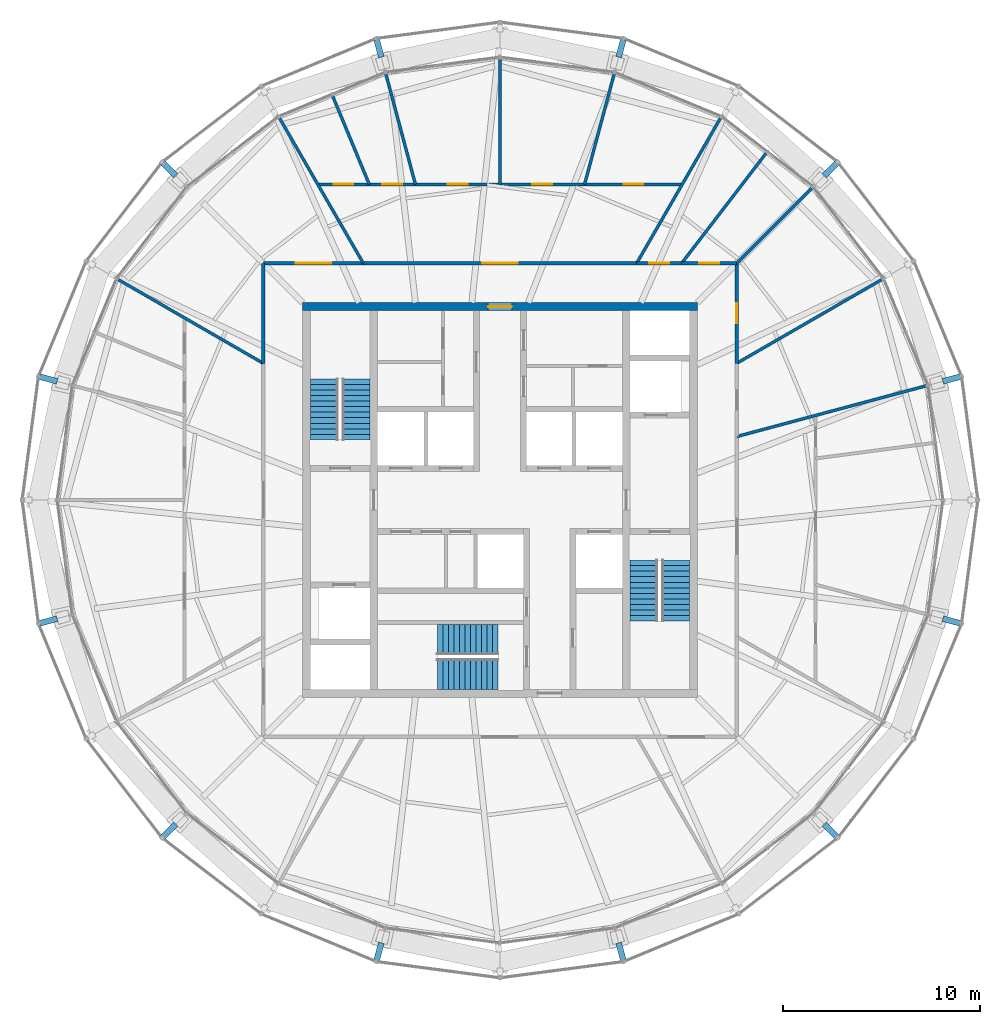
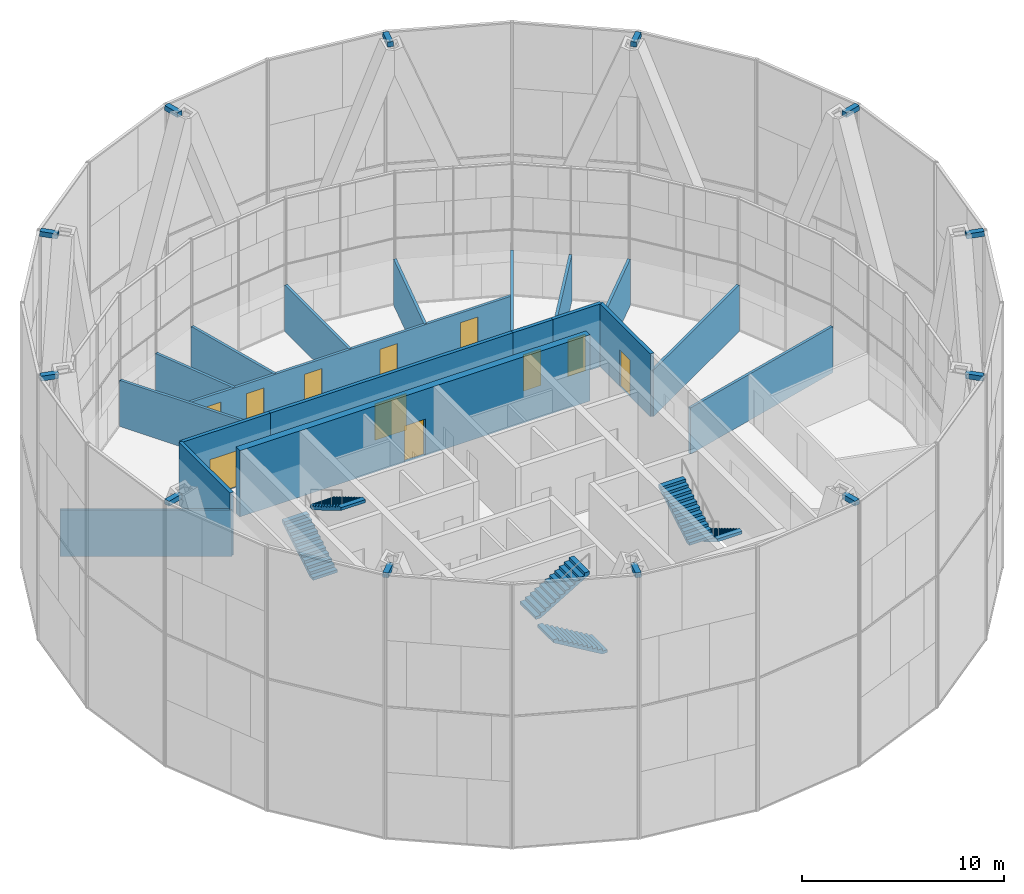
# One storey, part 20 of 22: 19 walls, 12 discrete accessories, 11 doors, 6 stair flights, 11 openings, 3 elements without a shape of their own.
"""IFC4 building model written with IfcOpenShell, lengths in metres."""

from ifc_helpers import new_model, si_unit, direction, frame, frame_2d, origin, origin_2d, place, context, subcontext, project, spatial, polyline, rectangle, outline, extrude, material, layer, layer_set, type_object, element, fill, aggregate, save


model = new_model("IFC4")

# Units and contexts
model_context = context("Model", 3, precision=1e-05, world=origin(), true_north=direction((0.0, 1.0)))
body_context = subcontext(model_context, "Body", "Model", "MODEL_VIEW")
ifc_project = project(units=[si_unit("LENGTHUNIT", "METRE"), si_unit("AREAUNIT", "SQUARE_METRE"), si_unit("VOLUMEUNIT", "CUBIC_METRE"), si_unit("PLANEANGLEUNIT", "RADIAN"), si_unit("MASSUNIT", "GRAM", prefix="KILO")], contexts=[model_context])

# Site, building, storey
site_placement = place(None, origin())
site = spatial("IfcSite", under=ifc_project, at=site_placement, CompositionType="ELEMENT")
building_placement = place(site_placement, origin())
building = spatial("IfcBuilding", under=site, at=building_placement, Name="Golbaran Civic Tower", CompositionType="ELEMENT")
storey_placement = place(building_placement, frame((0.0, 0.0, 248.0)))
storey = spatial("IfcBuildingStorey", under=building, at=storey_placement, Name="L60", CompositionType="ELEMENT", Elevation=248.0)

# Wall, opening, door
ifc_material_1 = material(Name="Concrete C50/60", Category="concrete")
ifc_layer_1 = layer(ifc_material_1, 0.39990234375, Name="Concrete C50/60")
ifc_layer_set_1 = layer_set([ifc_layer_1], Name="Concrete C50/60")
wall_type_1 = type_object("IfcWallType", Name="CORE WALL CONCRETE 400", PredefinedType="SOLIDWALL", material=ifc_layer_set_1)
wall_1_placement = place(storey_placement, frame((-10.0, 9.800048828125, 0.0), z_axis=(0.0, 0.0, 1.0), x_axis=(1.0, 0.0, 0.0)))
wall_1 = element("IfcWall", 1, at=wall_1_placement, inside=storey, type_object=wall_type_1, Name="Core wall CN L60", PredefinedType="SOLIDWALL", context=body_context, shape_type="SweptSolid", body=[
    extrude(rectangle(XDim=20.0, YDim=0.39990234375, at=frame_2d((10.0, 0.0))), origin(), (0.0, 0.0, 1.0), 4.0),
])
opening_1_placement = place(wall_1_placement, frame((9.39990234375, 0.0, 0.0)))
opening_1 = element("IfcOpeningElement", 2, at=opening_1_placement, cuts=wall_1, Name="Opening L60.CN", PredefinedType="OPENING", context=body_context, shape_type="SweptSolid", body=[
    extrude(rectangle(XDim=1.199951171875, YDim=2.199951171875, at=frame_2d((0.60009765625, 1.10009765625))), frame((0.0, 0.2099609375, 0.0), z_axis=(0.0, -1.0, 0.0), x_axis=(1.0, 0.0, 0.0)), (0.0, 0.0, 1.0), 0.419921875),
])
ifc_material_2 = material(Name="Timber door set in steel frame", Category="steel")
door_type_1 = type_object("IfcDoorType", Name="CORE DOOR 1200x2200", OperationType="DOUBLE_DOOR_SINGLE_SWING", PredefinedType="DOOR", material=ifc_material_2)
door_1_placement = place(opening_1_placement, origin())
door_1 = element("IfcDoor", 3, at=door_1_placement, inside=storey, type_object=door_type_1, Name="Core door north", OperationType="DOUBLE_DOOR_SINGLE_SWING", OverallHeight=2.199951171875, OverallWidth=1.199951171875, PredefinedType="DOOR", context=body_context, shape_type="SweptSolid", body=[
    extrude(rectangle(XDim=1.199951171875, YDim=2.199951171875, at=frame_2d((0.60009765625, 1.10009765625))), frame((0.0, 0.02490234375, 0.0), z_axis=(0.0, -1.0, 0.0), x_axis=(1.0, 0.0, 0.0)), (0.0, 0.0, 1.0), 0.050048828125),
])
fill(opening_1, door_1)

ifc_material_3 = material(Name="Gypsum board on steel studs, fire-rated", Category="steel")
ifc_layer_2 = layer(ifc_material_3, 0.199951171875, Name="Gypsum board on steel studs, fire-rated")
ifc_layer_set_2 = layer_set([ifc_layer_2], Name="Gypsum board on steel studs, fire-rated")
wall_type_2 = type_object("IfcWallType", Name="CORRIDOR WALL 200", PredefinedType="PARTITIONING", material=ifc_layer_set_2)
wall_2_placement = place(storey_placement, frame((12.0, 6.92822265625, 0.0), z_axis=(0.0, 0.0, 1.0), x_axis=(0.0, 1.0, 0.0)))
wall_2 = element("IfcWall", 4, at=wall_2_placement, inside=storey, type_object=wall_type_2, Name="Corridor wall L60", PredefinedType="PARTITIONING", context=body_context, shape_type="SweptSolid", body=[
    extrude(rectangle(XDim=5.07177734375, YDim=0.199951171875, at=frame_2d((2.535888671875, 0.0))), origin(), (0.0, 0.0, 1.0), 3.800048828125),
])
opening_2_placement = place(wall_2_placement, frame((2.035888671875, 0.0, 0.0)))
opening_2 = element("IfcOpeningElement", 5, at=opening_2_placement, cuts=wall_2, Name="Opening L60.16", PredefinedType="OPENING", context=body_context, shape_type="SweptSolid", body=[
    extrude(rectangle(XDim=1.0, YDim=2.199951171875, at=frame_2d((0.5, 1.10009765625))), frame((0.0, 0.10986328125, 0.0), z_axis=(0.0, -1.0, 0.0), x_axis=(1.0, 0.0, 0.0)), (0.0, 0.0, 1.0), 0.219970703125),
])
door_type_2 = type_object("IfcDoorType", Name="OFFICE DOOR 1000x2200", OperationType="SINGLE_SWING_LEFT", PredefinedType="DOOR", material=ifc_material_2)
door_2_placement = place(opening_2_placement, origin())
door_2 = element("IfcDoor", 6, at=door_2_placement, inside=storey, type_object=door_type_2, Name="Pantry door L60", OperationType="SINGLE_SWING_LEFT", OverallHeight=2.199951171875, OverallWidth=1.0, PredefinedType="DOOR", context=body_context, shape_type="SweptSolid", body=[
    extrude(rectangle(XDim=1.0, YDim=2.199951171875, at=frame_2d((0.5, 1.10009765625))), frame((0.0, 0.02490234375, 0.0), z_axis=(0.0, -1.0, 0.0), x_axis=(1.0, 0.0, 0.0)), (0.0, 0.0, 1.0), 0.050048828125),
])
fill(opening_2, door_2)

wall_3_placement = place(storey_placement, frame((12.0, 12.0, 0.0), z_axis=(0.0, 0.0, 1.0), x_axis=(-1.0, 0.0, 0.0)))
wall_3 = element("IfcWall", 7, at=wall_3_placement, inside=storey, type_object=wall_type_2, Name="Corridor wall L60", PredefinedType="PARTITIONING", context=body_context, shape_type="SweptSolid", body=[
    extrude(rectangle(XDim=2.7919921875, YDim=0.199951171875, at=frame_2d((1.39599609375, 0.0))), origin(), (0.0, 0.0, 1.0), 3.800048828125),
])
opening_3_placement = place(wall_3_placement, frame((0.89599609375, 0.0, 0.0)))
opening_3 = element("IfcOpeningElement", 8, at=opening_3_placement, cuts=wall_3, Name="Opening L60.17", PredefinedType="OPENING", context=body_context, shape_type="SweptSolid", body=[
    extrude(rectangle(XDim=1.0, YDim=2.199951171875, at=frame_2d((0.5, 1.10009765625))), frame((0.0, 0.10986328125, 0.0), z_axis=(0.0, -1.0, 0.0), x_axis=(1.0, 0.0, 0.0)), (0.0, 0.0, 1.0), 0.219970703125),
])
door_3_placement = place(opening_3_placement, origin())
door_3 = element("IfcDoor", 9, at=door_3_placement, inside=storey, type_object=door_type_2, Name="Prayer Room door L60", OperationType="SINGLE_SWING_RIGHT", OverallHeight=2.199951171875, OverallWidth=1.0, PredefinedType="DOOR", context=body_context, shape_type="SweptSolid", body=[
    extrude(rectangle(XDim=1.0, YDim=2.199951171875, at=frame_2d((0.5, 1.10009765625))), frame((0.0, 0.02490234375, 0.0), z_axis=(0.0, -1.0, 0.0), x_axis=(1.0, 0.0, 0.0)), (0.0, 0.0, 1.0), 0.050048828125),
])
fill(opening_3, door_3)

wall_4_placement = place(storey_placement, frame((9.2080078125, 12.0, 0.0), z_axis=(0.0, 0.0, 1.0), x_axis=(-1.0, 0.0, 0.0)))
wall_4 = element("IfcWall", 10, at=wall_4_placement, inside=storey, type_object=wall_type_2, Name="Corridor wall L60", PredefinedType="PARTITIONING", context=body_context, shape_type="SweptSolid", body=[
    extrude(rectangle(XDim=2.27978515625, YDim=0.199951171875, at=frame_2d((1.139892578125, 0.0))), origin(), (0.0, 0.0, 1.0), 3.800048828125),
])
opening_4_placement = place(wall_4_placement, frame((0.639892578125, 0.0, 0.0)))
opening_4 = element("IfcOpeningElement", 11, at=opening_4_placement, cuts=wall_4, Name="Opening L60.18", PredefinedType="OPENING", context=body_context, shape_type="SweptSolid", body=[
    extrude(rectangle(XDim=1.0, YDim=2.199951171875, at=frame_2d((0.5, 1.10009765625))), frame((0.0, 0.10986328125, 0.0), z_axis=(0.0, -1.0, 0.0), x_axis=(1.0, 0.0, 0.0)), (0.0, 0.0, 1.0), 0.219970703125),
])
door_4_placement = place(opening_4_placement, origin())
door_4 = element("IfcDoor", 12, at=door_4_placement, inside=storey, type_object=door_type_2, Name="Quiet Room door L60", OperationType="SINGLE_SWING_RIGHT", OverallHeight=2.199951171875, OverallWidth=1.0, PredefinedType="DOOR", context=body_context, shape_type="SweptSolid", body=[
    extrude(rectangle(XDim=1.0, YDim=2.199951171875, at=frame_2d((0.5, 1.10009765625))), frame((0.0, 0.02490234375, 0.0), z_axis=(0.0, -1.0, 0.0), x_axis=(1.0, 0.0, 0.0)), (0.0, 0.0, 1.0), 0.050048828125),
])
fill(opening_4, door_4)

wall_5_placement = place(storey_placement, frame((6.92822265625, 12.0, 0.0), z_axis=(0.0, 0.0, 1.0), x_axis=(-1.0, 0.0, 0.0)))
wall_5 = element("IfcWall", 13, at=wall_5_placement, inside=storey, type_object=wall_type_2, Name="Corridor wall L60", PredefinedType="PARTITIONING", context=body_context, shape_type="SweptSolid", body=[
    extrude(rectangle(XDim=13.8564453125, YDim=0.199951171875, at=frame_2d((6.92822265625, 0.0))), origin(), (0.0, 0.0, 1.0), 3.800048828125),
])
opening_5_placement = place(wall_5_placement, frame((6.0283203125, 0.0, 0.0)))
opening_5 = element("IfcOpeningElement", 14, at=opening_5_placement, cuts=wall_5, Name="Opening L60.19", PredefinedType="OPENING", context=body_context, shape_type="SweptSolid", body=[
    extrude(rectangle(XDim=1.800048828125, YDim=2.199951171875, at=frame_2d((0.89990234375, 1.10009765625))), frame((0.0, 0.10986328125, 0.0), z_axis=(0.0, -1.0, 0.0), x_axis=(1.0, 0.0, 0.0)), (0.0, 0.0, 1.0), 0.219970703125),
])
door_type_3 = type_object("IfcDoorType", Name="OFFICE DOUBLE DOOR 1800x2200", OperationType="DOUBLE_DOOR_SINGLE_SWING", PredefinedType="DOOR", material=ifc_material_2)
door_5_placement = place(opening_5_placement, origin())
door_5 = element("IfcDoor", 15, at=door_5_placement, inside=storey, type_object=door_type_3, Name="Reception door L60", OperationType="DOUBLE_DOOR_SINGLE_SWING", OverallHeight=2.199951171875, OverallWidth=1.800048828125, PredefinedType="DOOR", context=body_context, shape_type="SweptSolid", body=[
    extrude(rectangle(XDim=1.800048828125, YDim=2.199951171875, at=frame_2d((0.89990234375, 1.10009765625))), frame((0.0, 0.02490234375, 0.0), z_axis=(0.0, -1.0, 0.0), x_axis=(1.0, 0.0, 0.0)), (0.0, 0.0, 1.0), 0.050048828125),
])
fill(opening_5, door_5)

wall_6_placement = place(storey_placement, frame((-6.92822265625, 12.0, 0.0), z_axis=(0.0, 0.0, 1.0), x_axis=(-1.0, 0.0, 0.0)))
wall_6 = element("IfcWall", 16, at=wall_6_placement, inside=storey, type_object=wall_type_2, Name="Corridor wall L60", PredefinedType="PARTITIONING", context=body_context, shape_type="SweptSolid", body=[
    extrude(rectangle(XDim=5.07177734375, YDim=0.199951171875, at=frame_2d((2.535888671875, 0.0))), origin(), (0.0, 0.0, 1.0), 3.800048828125),
])
opening_6_placement = place(wall_6_placement, frame((1.635986328125, 0.0, 0.0)))
opening_6 = element("IfcOpeningElement", 17, at=opening_6_placement, cuts=wall_6, Name="Opening L60.20", PredefinedType="OPENING", context=body_context, shape_type="SweptSolid", body=[
    extrude(rectangle(XDim=1.800048828125, YDim=2.199951171875, at=frame_2d((0.89990234375, 1.10009765625))), frame((0.0, 0.10986328125, 0.0), z_axis=(0.0, -1.0, 0.0), x_axis=(1.0, 0.0, 0.0)), (0.0, 0.0, 1.0), 0.219970703125),
])
door_6_placement = place(opening_6_placement, origin())
door_6 = element("IfcDoor", 18, at=door_6_placement, inside=storey, type_object=door_type_3, Name="Open Office door L60", OperationType="DOUBLE_DOOR_SINGLE_SWING", OverallHeight=2.199951171875, OverallWidth=1.800048828125, PredefinedType="DOOR", context=body_context, shape_type="SweptSolid", body=[
    extrude(rectangle(XDim=1.800048828125, YDim=2.199951171875, at=frame_2d((0.89990234375, 1.10009765625))), frame((0.0, 0.02490234375, 0.0), z_axis=(0.0, -1.0, 0.0), x_axis=(1.0, 0.0, 0.0)), (0.0, 0.0, 1.0), 0.050048828125),
])
fill(opening_6, door_6)

# Walls
wall_7_placement = place(storey_placement, frame((-12.0, 12.0, 0.0), z_axis=(0.0, 0.0, 1.0), x_axis=(0.0, -1.0, 0.0)))
element("IfcWall", 19, at=wall_7_placement, inside=storey, type_object=wall_type_2, Name="Corridor wall L60", PredefinedType="PARTITIONING", context=body_context, shape_type="SweptSolid", body=[
    extrude(rectangle(XDim=5.07177734375, YDim=0.199951171875, at=frame_2d((2.535888671875, 0.0))), origin(), (0.0, 0.0, 1.0), 3.800048828125),
])
ifc_material_4 = material(Name="Gypsum board on steel studs", Category="steel")
ifc_layer_3 = layer(ifc_material_4, 0.14990234375, Name="Gypsum board on steel studs")
ifc_layer_set_3 = layer_set([ifc_layer_3], Name="Gypsum board on steel studs")
wall_type_3 = type_object("IfcWallType", Name="OFFICE PARTITION 150", PredefinedType="PARTITIONING", material=ifc_layer_set_3)
wall_8_placement = place(storey_placement, frame((12.0, 3.21533203125, 0.0), z_axis=(0.0, 0.0, 1.0), x_axis=(0.965922720407, 0.258830636135, 0.0)))
element("IfcWall", 20, at=wall_8_placement, inside=storey, type_object=wall_type_3, Name="Partition 15 L60", PredefinedType="PARTITIONING", context=body_context, shape_type="SweptSolid", body=[
    extrude(rectangle(XDim=9.93798828125, YDim=0.14990234375, at=frame_2d((4.968994140625, 0.0))), origin(), (0.0, 0.0, 1.0), 2.7900390625),
])
wall_9_placement = place(storey_placement, frame((12.0, 6.92822265625, 0.0), z_axis=(0.0, 0.0, 1.0), x_axis=(0.866026401553, 0.49999827181, 0.0)))
element("IfcWall", 21, at=wall_9_placement, inside=storey, type_object=wall_type_3, Name="Partition 30 L60", PredefinedType="PARTITIONING", context=body_context, shape_type="SweptSolid", body=[
    extrude(rectangle(XDim=8.5048828125, YDim=0.14990234375, at=frame_2d((4.25244140625, 0.0))), origin(), (0.0, 0.0, 1.0), 2.7900390625),
])
wall_10_placement = place(storey_placement, frame((12.0, 12.0, 0.0), z_axis=(0.0, 0.0, 1.0), x_axis=(0.707106781187, 0.707106781187, 0.0)))
element("IfcWall", 22, at=wall_10_placement, inside=storey, type_object=wall_type_3, Name="Partition 45 L60", PredefinedType="PARTITIONING", context=body_context, shape_type="SweptSolid", body=[
    extrude(rectangle(XDim=5.390625, YDim=0.14990234375, at=frame_2d((2.6953125, 0.0))), origin(), (0.0, 0.0, 1.0), 2.7900390625),
])
wall_11_placement = place(storey_placement, frame((9.2080078125, 12.0, 0.0), z_axis=(0.0, 0.0, 1.0), x_axis=(0.608742186743, 0.79336810503, 0.0)))
element("IfcWall", 23, at=wall_11_placement, inside=storey, type_object=wall_type_3, Name="Partition 52.5 L60", PredefinedType="PARTITIONING", context=body_context, shape_type="SweptSolid", body=[
    extrude(rectangle(XDim=7.044189453125, YDim=0.14990234375, at=frame_2d((3.52197265625, 0.0))), origin(), (0.0, 0.0, 1.0), 2.7900390625),
])
for number, where, z_axis, x_axis, name in (
    (24, (6.92822265625, 12.0, 0.0), (0.0, 0.0, 1.0), (0.49999827181, 0.866026401553, 0.0), "Partition 60 L60"),
    (25, (-6.92822265625, 12.0, 0.0), (0.0, 0.0, 1.0), (-0.49999827181, 0.866026401553, 0.0), "Partition 120 L60"),
    (26, (-12.0, 6.92822265625, 0.0), (0.0, 0.0, 1.0), (-0.866026401553, 0.49999827181, 0.0), "Partition 150 L60"),
):
    element("IfcWall", number, at=place(storey_placement, frame(where, z_axis=z_axis, x_axis=x_axis)), inside=storey, type_object=wall_type_3, Name=name, PredefinedType="PARTITIONING", context=body_context, shape_type="SweptSolid", body=[
        extrude(rectangle(XDim=8.5048828125, YDim=0.14990234375, at=frame_2d((4.25244140625, 0.0))), origin(), (0.0, 0.0, 1.0), 2.7900390625),
    ])

# Wall, openings, doors
wall_12_placement = place(storey_placement, frame((9.237548828125, 16.0, 0.0), z_axis=(0.0, 0.0, 1.0), x_axis=(-1.0, 0.0, 0.0)))
wall_12 = element("IfcWall", 27, at=wall_12_placement, inside=storey, type_object=wall_type_3, Name="Suite partition L60", PredefinedType="PARTITIONING", context=body_context, shape_type="SweptSolid", body=[
    extrude(rectangle(XDim=18.47509765625, YDim=0.14990234375, at=frame_2d((9.237548828125, 0.0))), origin(), (0.0, 0.0, 1.0), 2.7900390625),
])
opening_7_placement = place(wall_12_placement, frame((1.97509765625, 0.0, 0.0)))
opening_7 = element("IfcOpeningElement", 28, at=opening_7_placement, cuts=wall_12, Name="Opening L60.05", PredefinedType="OPENING", context=body_context, shape_type="SweptSolid", body=[
    extrude(rectangle(XDim=1.0, YDim=2.199951171875, at=frame_2d((0.5, 1.10009765625))), frame((0.0, 0.0849609375, 0.0), z_axis=(0.0, -1.0, 0.0), x_axis=(1.0, 0.0, 0.0)), (0.0, 0.0, 1.0), 0.169921875),
])
opening_8_placement = place(wall_12_placement, frame((6.593994140625, 0.0, 0.0)))
opening_8 = element("IfcOpeningElement", 29, at=opening_8_placement, cuts=wall_12, Name="Opening L60.06", PredefinedType="OPENING", context=body_context, shape_type="SweptSolid", body=[
    extrude(rectangle(XDim=1.0, YDim=2.199951171875, at=frame_2d((0.5, 1.10009765625))), frame((0.0, 0.0849609375, 0.0), z_axis=(0.0, -1.0, 0.0), x_axis=(1.0, 0.0, 0.0)), (0.0, 0.0, 1.0), 0.169921875),
])
opening_9_placement = place(wall_12_placement, frame((10.881103515625, 0.0, 0.0)))
opening_9 = element("IfcOpeningElement", 30, at=opening_9_placement, cuts=wall_12, Name="Opening L60.07", PredefinedType="OPENING", context=body_context, shape_type="SweptSolid", body=[
    extrude(rectangle(XDim=1.0, YDim=2.199951171875, at=frame_2d((0.5, 1.10009765625))), frame((0.0, 0.0849609375, 0.0), z_axis=(0.0, -1.0, 0.0), x_axis=(1.0, 0.0, 0.0)), (0.0, 0.0, 1.0), 0.169921875),
])
opening_10_placement = place(wall_12_placement, frame((14.19482421875, 0.0, 0.0)))
opening_10 = element("IfcOpeningElement", 31, at=opening_10_placement, cuts=wall_12, Name="Opening L60.08", PredefinedType="OPENING", context=body_context, shape_type="SweptSolid", body=[
    extrude(rectangle(XDim=1.0, YDim=2.199951171875, at=frame_2d((0.5, 1.10009765625))), frame((0.0, 0.0849609375, 0.0), z_axis=(0.0, -1.0, 0.0), x_axis=(1.0, 0.0, 0.0)), (0.0, 0.0, 1.0), 0.169921875),
])
opening_11_placement = place(wall_12_placement, frame((16.670166015625, 0.0, 0.0)))
opening_11 = element("IfcOpeningElement", 32, at=opening_11_placement, cuts=wall_12, Name="Opening L60.09", PredefinedType="OPENING", context=body_context, shape_type="SweptSolid", body=[
    extrude(rectangle(XDim=1.0, YDim=2.199951171875, at=frame_2d((0.5, 1.10009765625))), frame((0.0, 0.0849609375, 0.0), z_axis=(0.0, -1.0, 0.0), x_axis=(1.0, 0.0, 0.0)), (0.0, 0.0, 1.0), 0.169921875),
])
door_7_placement = place(opening_7_placement, origin())
door_7 = element("IfcDoor", 33, at=door_7_placement, inside=storey, type_object=door_type_2, Name="Assistants' Office door L60", OperationType="SINGLE_SWING_LEFT", OverallHeight=2.199951171875, OverallWidth=1.0, PredefinedType="DOOR", context=body_context, shape_type="SweptSolid", body=[
    extrude(rectangle(XDim=1.0, YDim=2.199951171875, at=frame_2d((0.5, 1.10009765625))), frame((0.0, 0.02490234375, 0.0), z_axis=(0.0, -1.0, 0.0), x_axis=(1.0, 0.0, 0.0)), (0.0, 0.0, 1.0), 0.050048828125),
])
fill(opening_7, door_7)
door_8_placement = place(opening_8_placement, origin())
door_8 = element("IfcDoor", 34, at=door_8_placement, inside=storey, type_object=door_type_2, Name="Deputy Minister's Office door L60", OperationType="SINGLE_SWING_LEFT", OverallHeight=2.199951171875, OverallWidth=1.0, PredefinedType="DOOR", context=body_context, shape_type="SweptSolid", body=[
    extrude(rectangle(XDim=1.0, YDim=2.199951171875, at=frame_2d((0.5, 1.10009765625))), frame((0.0, 0.02490234375, 0.0), z_axis=(0.0, -1.0, 0.0), x_axis=(1.0, 0.0, 0.0)), (0.0, 0.0, 1.0), 0.050048828125),
])
fill(opening_8, door_8)
door_9_placement = place(opening_9_placement, origin())
door_9 = element("IfcDoor", 35, at=door_9_placement, inside=storey, type_object=door_type_2, Name="Office door L60", OperationType="SINGLE_SWING_RIGHT", OverallHeight=2.199951171875, OverallWidth=1.0, PredefinedType="DOOR", context=body_context, shape_type="SweptSolid", body=[
    extrude(rectangle(XDim=1.0, YDim=2.199951171875, at=frame_2d((0.5, 1.10009765625))), frame((0.0, 0.02490234375, 0.0), z_axis=(0.0, -1.0, 0.0), x_axis=(1.0, 0.0, 0.0)), (0.0, 0.0, 1.0), 0.050048828125),
])
fill(opening_9, door_9)
door_10_placement = place(opening_10_placement, origin())
door_10 = element("IfcDoor", 36, at=door_10_placement, inside=storey, type_object=door_type_2, Name="Office door L60", OperationType="SINGLE_SWING_RIGHT", OverallHeight=2.199951171875, OverallWidth=1.0, PredefinedType="DOOR", context=body_context, shape_type="SweptSolid", body=[
    extrude(rectangle(XDim=1.0, YDim=2.199951171875, at=frame_2d((0.5, 1.10009765625))), frame((0.0, 0.02490234375, 0.0), z_axis=(0.0, -1.0, 0.0), x_axis=(1.0, 0.0, 0.0)), (0.0, 0.0, 1.0), 0.050048828125),
])
fill(opening_10, door_10)
door_11_placement = place(opening_11_placement, origin())
door_11 = element("IfcDoor", 37, at=door_11_placement, inside=storey, type_object=door_type_2, Name="Assistants' Office door L60", OperationType="SINGLE_SWING_RIGHT", OverallHeight=2.199951171875, OverallWidth=1.0, PredefinedType="DOOR", context=body_context, shape_type="SweptSolid", body=[
    extrude(rectangle(XDim=1.0, YDim=2.199951171875, at=frame_2d((0.5, 1.10009765625))), frame((0.0, 0.02490234375, 0.0), z_axis=(0.0, -1.0, 0.0), x_axis=(1.0, 0.0, 0.0)), (0.0, 0.0, 1.0), 0.050048828125),
])
fill(opening_11, door_11)

# Walls
wall_13_placement = place(storey_placement, frame((4.287109375, 16.0, 0.0), z_axis=(0.0, 0.0, 1.0), x_axis=(0.258842042881, 0.96591966376, 0.0)))
element("IfcWall", 38, at=wall_13_placement, inside=storey, type_object=wall_type_3, Name="Partition 75 L60", PredefinedType="PARTITIONING", context=body_context, shape_type="SweptSolid", body=[
    extrude(rectangle(XDim=5.796875, YDim=0.14990234375, at=frame_2d((2.8984375, 0.0))), origin(), (0.0, 0.0, 1.0), 2.7900390625),
])
wall_14_placement = place(storey_placement, frame((0.0, 16.0, 0.0), z_axis=(0.0, 0.0, 1.0), x_axis=(0.0, 1.0, 0.0)))
element("IfcWall", 39, at=wall_14_placement, inside=storey, type_object=wall_type_3, Name="Partition 90 L60", PredefinedType="PARTITIONING", context=body_context, shape_type="SweptSolid", body=[
    extrude(rectangle(XDim=6.361328125, YDim=0.14990234375, at=frame_2d((3.1806640625, 0.0))), origin(), (0.0, 0.0, 1.0), 2.7900390625),
])
wall_15_placement = place(storey_placement, frame((-4.287109375, 16.0, 0.0), z_axis=(0.0, 0.0, 1.0), x_axis=(-0.258842042881, 0.96591966376, 0.0)))
element("IfcWall", 40, at=wall_15_placement, inside=storey, type_object=wall_type_3, Name="Partition 105 L60", PredefinedType="PARTITIONING", context=body_context, shape_type="SweptSolid", body=[
    extrude(rectangle(XDim=5.796875, YDim=0.14990234375, at=frame_2d((2.8984375, 0.0))), origin(), (0.0, 0.0, 1.0), 2.7900390625),
])
wall_16_placement = place(storey_placement, frame((-6.62744140625, 16.0, 0.0), z_axis=(0.0, 0.0, 1.0), x_axis=(-0.38268510723, 0.923878838758, 0.0)))
element("IfcWall", 41, at=wall_16_placement, inside=storey, type_object=wall_type_3, Name="Partition 112.5 L60", PredefinedType="PARTITIONING", context=body_context, shape_type="SweptSolid", body=[
    extrude(rectangle(XDim=4.851806640625, YDim=0.14990234375, at=frame_2d((2.42578125, 0.0))), origin(), (0.0, 0.0, 1.0), 2.7900390625),
])

# Stair, stair flights
ifc_material_5 = material(Name="Concrete C35/45", Category="concrete")
stair_type_1 = type_object("IfcStairType", Name="EXIT STAIR 3000 x 7850, 4000 RISE", PredefinedType="HALF_TURN_STAIR", material=ifc_material_5)
stair_1_placement = place(storey_placement, origin())
stair_1 = element("IfcStair", 42, at=stair_1_placement, inside=storey, type_object=stair_type_1, Name="Stair S1 L60", PredefinedType="HALF_TURN_STAIR")
stair_flight_type_1 = type_object("IfcStairFlightType", Name="STAIR FLIGHT 1400 WIDE", PredefinedType="STRAIGHT", material=ifc_material_5)
stair_flight_1_placement = place(storey_placement, frame((-8.89990234375, 3.050048828125, 0.0), z_axis=(0.0, 0.0, 1.0), x_axis=(0.0, 1.0, 0.0)))
stair_flight_1 = element("IfcStairFlight", 43, at=stair_flight_1_placement, type_object=stair_flight_type_1, Name="ST30078-40 flight 1", NumberOfRisers=12, NumberOfTreads=11, PredefinedType="STRAIGHT", RiserHeight=0.166666667, TreadLength=0.28, context=body_context, shape_type="SweptSolid", body=[
    extrude(outline(polyline([(0.0, 0.0), (0.0, 0.166748046875), (0.280029296875, 0.166748046875), (0.280029296875, 0.333251953125), (0.56005859375, 0.333251953125), (0.56005859375, 0.5), (0.840087890625, 0.5), (0.840087890625, 0.666748046875), (1.1201171875, 0.666748046875), (1.1201171875, 0.833251953125), (1.39990234375, 0.833251953125), (1.39990234375, 1.0), (1.679931640625, 1.0), (1.679931640625, 1.166748046875), (1.9599609375, 1.166748046875), (1.9599609375, 1.333251953125), (2.239990234375, 1.333251953125), (2.239990234375, 1.5), (2.52001953125, 1.5), (2.52001953125, 1.666748046875), (2.800048828125, 1.666748046875), (2.800048828125, 1.833251953125), (3.080078125, 1.833251953125), (3.080078125, 2.0), (3.080078125, 1.658935546875), (0.29296875, 0.0), (0.0, 0.0)])), frame((0.0, 0.699951171875, 0.0), z_axis=(0.0, -1.0, 0.0), x_axis=(1.0, 0.0, 0.0)), (0.0, 0.0, 1.0), 1.39990234375),
])
stair_flight_2_placement = place(storey_placement, frame((-7.300048828125, 6.1298828125, 2.0), z_axis=(0.0, 0.0, 1.0), x_axis=(0.0, -1.0, 0.0)))
stair_flight_2 = element("IfcStairFlight", 44, at=stair_flight_2_placement, type_object=stair_flight_type_1, Name="ST30078-40 flight 2", NumberOfRisers=12, NumberOfTreads=11, PredefinedType="STRAIGHT", RiserHeight=0.166666667, TreadLength=0.28, context=body_context, shape_type="SweptSolid", body=[
    extrude(outline(polyline([(0.0, 0.0), (0.0, 0.166748046875), (0.280029296875, 0.166748046875), (0.280029296875, 0.333251953125), (0.56005859375, 0.333251953125), (0.56005859375, 0.5), (0.840087890625, 0.5), (0.840087890625, 0.666748046875), (1.1201171875, 0.666748046875), (1.1201171875, 0.833251953125), (1.39990234375, 0.833251953125), (1.39990234375, 1.0), (1.679931640625, 1.0), (1.679931640625, 1.166748046875), (1.9599609375, 1.166748046875), (1.9599609375, 1.333251953125), (2.239990234375, 1.333251953125), (2.239990234375, 1.5), (2.52001953125, 1.5), (2.52001953125, 1.666748046875), (2.800048828125, 1.666748046875), (2.800048828125, 1.833251953125), (3.080078125, 1.833251953125), (3.080078125, 2.0), (3.080078125, 1.658935546875), (0.29296875, 0.0), (0.0, 0.0)])), frame((0.0, 0.699951171875, 0.0), z_axis=(0.0, -1.0, 0.0), x_axis=(1.0, 0.0, 0.0)), (0.0, 0.0, 1.0), 1.39990234375),
])
aggregate(stair_1, [stair_flight_1, stair_flight_2])

stair_2_placement = place(storey_placement, origin())
stair_2 = element("IfcStair", 45, at=stair_2_placement, inside=storey, type_object=stair_type_1, Name="Stair S2 L60", PredefinedType="HALF_TURN_STAIR")
stair_flight_3_placement = place(storey_placement, frame((8.89990234375, -3.050048828125, 0.0), z_axis=(0.0, 0.0, 1.0), x_axis=(0.0, -1.0, 0.0)))
stair_flight_3 = element("IfcStairFlight", 46, at=stair_flight_3_placement, type_object=stair_flight_type_1, Name="ST30078-40 flight 1", NumberOfRisers=12, NumberOfTreads=11, PredefinedType="STRAIGHT", RiserHeight=0.166666667, TreadLength=0.28, context=body_context, shape_type="SweptSolid", body=[
    extrude(outline(polyline([(0.0, 0.0), (0.0, 0.166748046875), (0.280029296875, 0.166748046875), (0.280029296875, 0.333251953125), (0.56005859375, 0.333251953125), (0.56005859375, 0.5), (0.840087890625, 0.5), (0.840087890625, 0.666748046875), (1.1201171875, 0.666748046875), (1.1201171875, 0.833251953125), (1.39990234375, 0.833251953125), (1.39990234375, 1.0), (1.679931640625, 1.0), (1.679931640625, 1.166748046875), (1.9599609375, 1.166748046875), (1.9599609375, 1.333251953125), (2.239990234375, 1.333251953125), (2.239990234375, 1.5), (2.52001953125, 1.5), (2.52001953125, 1.666748046875), (2.800048828125, 1.666748046875), (2.800048828125, 1.833251953125), (3.080078125, 1.833251953125), (3.080078125, 2.0), (3.080078125, 1.658935546875), (0.29296875, 0.0), (0.0, 0.0)])), frame((0.0, 0.699951171875, 0.0), z_axis=(0.0, -1.0, 0.0), x_axis=(1.0, 0.0, 0.0)), (0.0, 0.0, 1.0), 1.39990234375),
])
stair_flight_4_placement = place(storey_placement, frame((7.300048828125, -6.1298828125, 2.0), z_axis=(0.0, 0.0, 1.0), x_axis=(0.0, 1.0, 0.0)))
stair_flight_4 = element("IfcStairFlight", 47, at=stair_flight_4_placement, type_object=stair_flight_type_1, Name="ST30078-40 flight 2", NumberOfRisers=12, NumberOfTreads=11, PredefinedType="STRAIGHT", RiserHeight=0.166666667, TreadLength=0.28, context=body_context, shape_type="SweptSolid", body=[
    extrude(outline(polyline([(0.0, 0.0), (0.0, 0.166748046875), (0.280029296875, 0.166748046875), (0.280029296875, 0.333251953125), (0.56005859375, 0.333251953125), (0.56005859375, 0.5), (0.840087890625, 0.5), (0.840087890625, 0.666748046875), (1.1201171875, 0.666748046875), (1.1201171875, 0.833251953125), (1.39990234375, 0.833251953125), (1.39990234375, 1.0), (1.679931640625, 1.0), (1.679931640625, 1.166748046875), (1.9599609375, 1.166748046875), (1.9599609375, 1.333251953125), (2.239990234375, 1.333251953125), (2.239990234375, 1.5), (2.52001953125, 1.5), (2.52001953125, 1.666748046875), (2.800048828125, 1.666748046875), (2.800048828125, 1.833251953125), (3.080078125, 1.833251953125), (3.080078125, 2.0), (3.080078125, 1.658935546875), (0.29296875, 0.0), (0.0, 0.0)])), frame((0.0, 0.699951171875, 0.0), z_axis=(0.0, -1.0, 0.0), x_axis=(1.0, 0.0, 0.0)), (0.0, 0.0, 1.0), 1.39990234375),
])
aggregate(stair_2, [stair_flight_3, stair_flight_4])

stair_type_2 = type_object("IfcStairType", Name="EXIT STAIR 3300 x 7400, 4000 RISE", PredefinedType="HALF_TURN_STAIR", material=ifc_material_5)
stair_3_placement = place(storey_placement, origin())
stair_3 = element("IfcStair", 48, at=stair_3_placement, inside=storey, type_object=stair_type_2, Name="Stair S3 L60", PredefinedType="HALF_TURN_STAIR")
stair_flight_type_2 = type_object("IfcStairFlightType", Name="STAIR FLIGHT 1550 WIDE", PredefinedType="STRAIGHT", material=ifc_material_5)
stair_flight_5_placement = place(storey_placement, frame((-0.10009765625, -8.824951171875, 0.0), z_axis=(0.0, 0.0, 1.0), x_axis=(-1.0, 0.0, 0.0)))
stair_flight_5 = element("IfcStairFlight", 49, at=stair_flight_5_placement, type_object=stair_flight_type_2, Name="ST33074-40 flight 1", NumberOfRisers=12, NumberOfTreads=11, PredefinedType="STRAIGHT", RiserHeight=0.166666667, TreadLength=0.28, context=body_context, shape_type="SweptSolid", body=[
    extrude(outline(polyline([(0.0, 0.0), (0.0, 0.166748046875), (0.280029296875, 0.166748046875), (0.280029296875, 0.333251953125), (0.56005859375, 0.333251953125), (0.56005859375, 0.5), (0.840087890625, 0.5), (0.840087890625, 0.666748046875), (1.1201171875, 0.666748046875), (1.1201171875, 0.833251953125), (1.39990234375, 0.833251953125), (1.39990234375, 1.0), (1.679931640625, 1.0), (1.679931640625, 1.166748046875), (1.9599609375, 1.166748046875), (1.9599609375, 1.333251953125), (2.239990234375, 1.333251953125), (2.239990234375, 1.5), (2.52001953125, 1.5), (2.52001953125, 1.666748046875), (2.800048828125, 1.666748046875), (2.800048828125, 1.833251953125), (3.080078125, 1.833251953125), (3.080078125, 2.0), (3.080078125, 1.658935546875), (0.29296875, 0.0), (0.0, 0.0)])), frame((0.0, 0.77490234375, 0.0), z_axis=(0.0, -1.0, 0.0), x_axis=(1.0, 0.0, 0.0)), (0.0, 0.0, 1.0), 1.550048828125),
])
stair_flight_6_placement = place(storey_placement, frame((-3.179931640625, -7.074951171875, 2.0), z_axis=(0.0, 0.0, 1.0), x_axis=(1.0, 0.0, 0.0)))
stair_flight_6 = element("IfcStairFlight", 50, at=stair_flight_6_placement, type_object=stair_flight_type_2, Name="ST33074-40 flight 2", NumberOfRisers=12, NumberOfTreads=11, PredefinedType="STRAIGHT", RiserHeight=0.166666667, TreadLength=0.28, context=body_context, shape_type="SweptSolid", body=[
    extrude(outline(polyline([(0.0, 0.0), (0.0, 0.166748046875), (0.280029296875, 0.166748046875), (0.280029296875, 0.333251953125), (0.56005859375, 0.333251953125), (0.56005859375, 0.5), (0.840087890625, 0.5), (0.840087890625, 0.666748046875), (1.1201171875, 0.666748046875), (1.1201171875, 0.833251953125), (1.39990234375, 0.833251953125), (1.39990234375, 1.0), (1.679931640625, 1.0), (1.679931640625, 1.166748046875), (1.9599609375, 1.166748046875), (1.9599609375, 1.333251953125), (2.239990234375, 1.333251953125), (2.239990234375, 1.5), (2.52001953125, 1.5), (2.52001953125, 1.666748046875), (2.800048828125, 1.666748046875), (2.800048828125, 1.833251953125), (3.080078125, 1.833251953125), (3.080078125, 2.0), (3.080078125, 1.658935546875), (0.29296875, 0.0), (0.0, 0.0)])), frame((0.0, 0.77490234375, 0.0), z_axis=(0.0, -1.0, 0.0), x_axis=(1.0, 0.0, 0.0)), (0.0, 0.0, 1.0), 1.550048828125),
])
aggregate(stair_3, [stair_flight_5, stair_flight_6])

# Discrete accessories
ifc_material_6 = material(Name="Steel S355", Category="steel")
discrete_accessory_type = type_object("IfcDiscreteAccessoryType", Name="OUTER SKIN BRACKET", PredefinedType="BRACKET", material=ifc_material_6)
for number, where, z_axis, x_axis, name in (
    (51, (22.88330078125, 6.131591796875, 14.98974609375), (0.0, 0.0, 1.0), (0.965925826289, 0.258819045103, 0.0), "Outer skin head bracket L60 node 1"),
    (52, (16.751708984375, 16.751708984375, 14.98974609375), (0.0, 0.0, 1.0), (0.707106781187, 0.707106781187, 0.0), "Outer skin head bracket L60 node 2"),
    (53, (6.131591796875, 22.88330078125, 14.98974609375), (0.0, 0.0, 1.0), (0.258819045103, 0.965925826289, 0.0), "Outer skin head bracket L60 node 3"),
    (54, (-6.131591796875, 22.88330078125, 14.98974609375), (0.0, 0.0, 1.0), (-0.258819045103, 0.965925826289, 0.0), "Outer skin head bracket L60 node 4"),
    (55, (-16.751708984375, 16.751708984375, 14.98974609375), (0.0, 0.0, 1.0), (-0.707106781187, 0.707106781187, 0.0), "Outer skin head bracket L60 node 5"),
    (56, (-22.88330078125, 6.131591796875, 14.98974609375), (0.0, 0.0, 1.0), (-0.965925826289, 0.258819045103, 0.0), "Outer skin head bracket L60 node 6"),
    (57, (-22.88330078125, -6.131591796875, 14.98974609375), (0.0, 0.0, 1.0), (-0.965925826289, -0.258819045103, 0.0), "Outer skin head bracket L60 node 7"),
    (58, (-16.751708984375, -16.751708984375, 14.98974609375), (0.0, 0.0, 1.0), (-0.707106781187, -0.707106781187, 0.0), "Outer skin head bracket L60 node 8"),
    (59, (-6.131591796875, -22.88330078125, 14.98974609375), (0.0, 0.0, 1.0), (-0.258819045103, -0.965925826289, 0.0), "Outer skin head bracket L60 node 9"),
    (60, (6.131591796875, -22.88330078125, 14.98974609375), (0.0, 0.0, 1.0), (0.258819045103, -0.965925826289, 0.0), "Outer skin head bracket L60 node 10"),
    (61, (16.751708984375, -16.751708984375, 14.98974609375), (0.0, 0.0, 1.0), (0.707106781187, -0.707106781187, 0.0), "Outer skin head bracket L60 node 11"),
    (62, (22.88330078125, -6.131591796875, 14.98974609375), (0.0, 0.0, 1.0), (0.965925826289, -0.258819045103, 0.0), "Outer skin head bracket L60 node 12"),
):
    element("IfcDiscreteAccessory", number, at=place(storey_placement, frame(where, z_axis=z_axis, x_axis=x_axis)), inside=storey, type_object=discrete_accessory_type, Name=name, PredefinedType="BRACKET", context=body_context, shape_type="SweptSolid", body=[
        extrude(rectangle(XDim=0.905029296875, YDim=0.300048828125, at=origin_2d()), origin(), (0.0, 0.0, 1.0), 0.300048828125),
    ])

save(model, "model.ifc")
